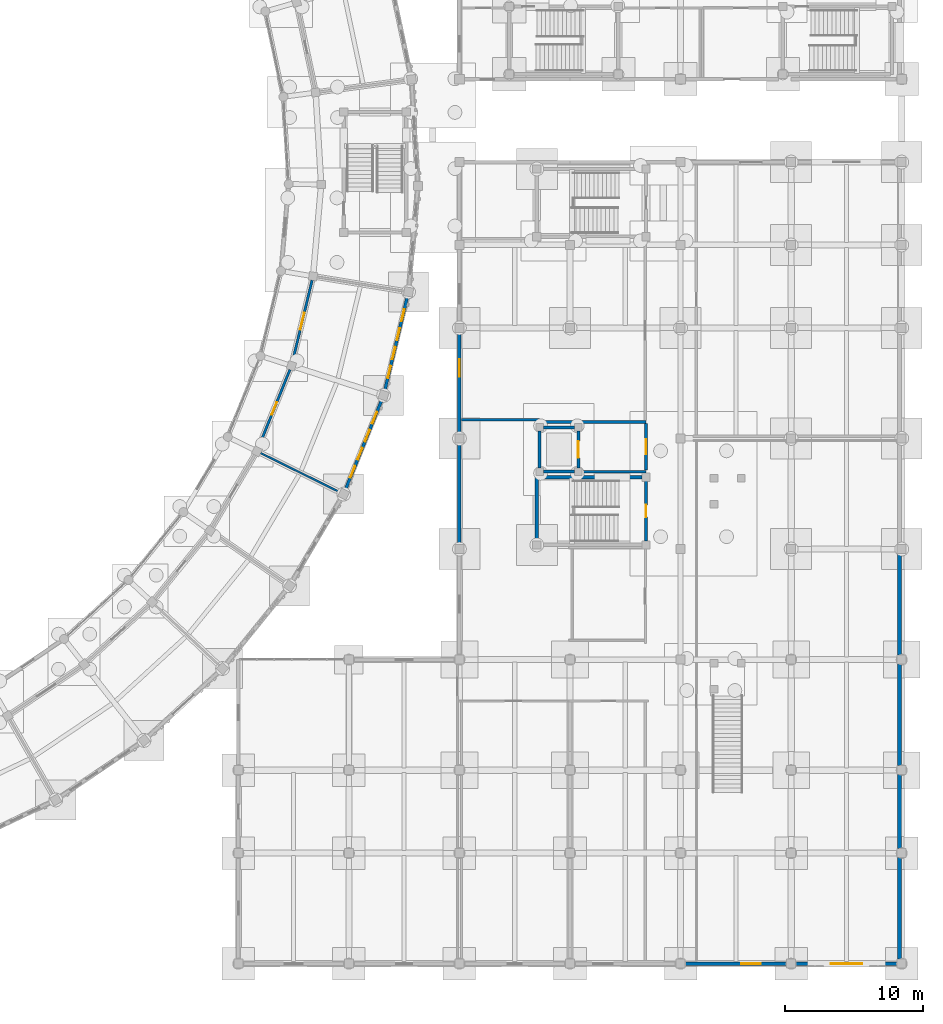
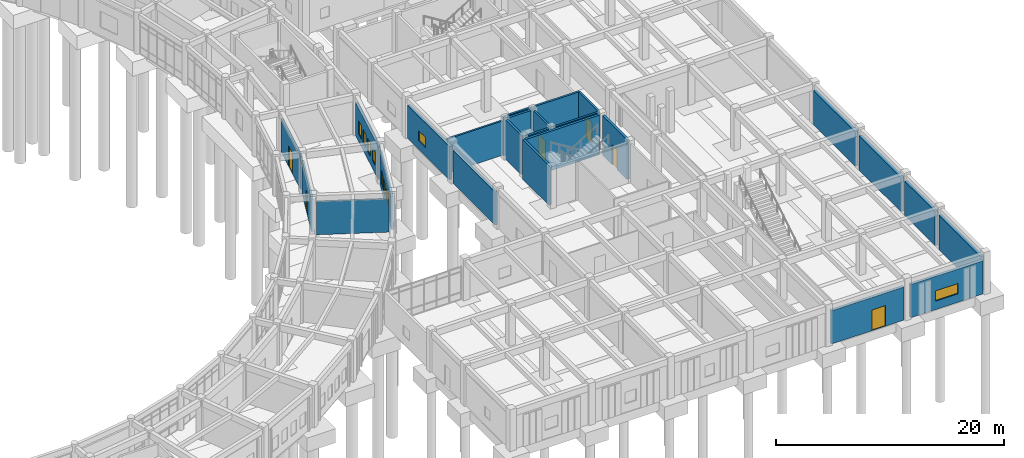
# One storey, part 133 of 153: 24 walls, 10 windows, 6 doors, 16 openings.
"""IFC4 building model written with IfcOpenShell, lengths in metres."""

from ifc_helpers import new_model, si_unit, direction, frame, frame_2d, origin, place, context, subcontext, project, spatial, rectangle, extrude, material, layer, layer_set, type_object, element, fill, save


model = new_model("IFC4")

# Units and contexts
model_context = context("Model", 3, precision=1e-05, world=origin(), true_north=direction((0.0, 1.0)))
body_context = subcontext(model_context, "Body", "Model", "MODEL_VIEW")
ifc_project = project(units=[si_unit("LENGTHUNIT", "METRE"), si_unit("AREAUNIT", "SQUARE_METRE"), si_unit("VOLUMEUNIT", "CUBIC_METRE"), si_unit("PLANEANGLEUNIT", "RADIAN"), si_unit("MASSUNIT", "GRAM", prefix="KILO")], contexts=[model_context])

# Site, building, storey
site_placement = place(None, origin())
site = spatial("IfcSite", under=ifc_project, at=site_placement, CompositionType="ELEMENT")
building_placement = place(site_placement, origin())
building = spatial("IfcBuilding", under=site, at=building_placement, Name="Celadon Cloister-Ring School", CompositionType="ELEMENT")
storey_placement = place(building_placement, origin())
storey = spatial("IfcBuildingStorey", under=building, at=storey_placement, Name="L00", CompositionType="ELEMENT", Elevation=0.0)

# Wall, opening, window
ifc_material_1 = material(Name="Rendered concrete blockwork", Category="masonry")
ifc_layer_1 = layer(ifc_material_1, 0.280029296875)
ifc_layer_set_1 = layer_set([ifc_layer_1], Name="Rendered concrete blockwork")
wall_type_1 = type_object("IfcWallType", Name="WT-EX1", PredefinedType="SOLIDWALL", material=ifc_layer_set_1)
wall_1_placement = place(storey_placement, frame((173.673095703125, 2.0, 0.0), z_axis=(0.0, 0.0, 1.0), x_axis=(-1.0, 0.0, 0.0)))
wall_1 = element("IfcWall", 1, at=wall_1_placement, inside=storey, type_object=wall_type_1, Name="Exterior Wall 0418", PredefinedType="SOLIDWALL", context=body_context, shape_type="SweptSolid", body=[
    extrude(rectangle(XDim=7.34619140625, YDim=0.280029296875, at=frame_2d((3.673095703125, 0.0))), origin(), (0.0, 0.0, 1.0), 3.550048828125),
])
opening_1_placement = place(wall_1_placement, frame((2.52294921875, 0.0, 0.89990234375)))
opening_1 = element("IfcOpeningElement", 2, at=opening_1_placement, cuts=wall_1, Name="Opening WN-10", PredefinedType="OPENING", context=body_context, shape_type="SweptSolid", body=[
    extrude(rectangle(XDim=2.300048828125, YDim=1.10009765625, at=frame_2d((1.14990234375, 0.550048828125))), frame((0.0, 0.14990234375, 0.0), z_axis=(0.0, -1.0, 0.0), x_axis=(1.0, 0.0, 0.0)), (0.0, 0.0, 1.0), 0.300048828125),
])
ifc_material_2 = material(Name="Tempered laminated insulating glass", Category="glass")
window_type_1 = type_object("IfcWindowType", Name="WN-10", PartitioningType="DOUBLE_PANEL_VERTICAL", PredefinedType="WINDOW", material=ifc_material_2)
window_1_placement = place(opening_1_placement, origin())
window_1 = element("IfcWindow", 3, at=window_1_placement, inside=storey, type_object=window_type_1, Name="Window 0960", OverallHeight=1.10009765625, OverallWidth=2.300048828125, PartitioningType="SINGLE_PANEL", PredefinedType="WINDOW", context=body_context, shape_type="SweptSolid", body=[
    extrude(rectangle(XDim=2.300048828125, YDim=1.10009765625, at=frame_2d((1.14990234375, 0.550048828125))), frame((0.0, 0.030029296875, 0.0), z_axis=(0.0, -1.0, 0.0), x_axis=(1.0, 0.0, 0.0)), (0.0, 0.0, 1.0), 0.06005859375),
])
fill(opening_1, window_1)

# Wall, opening, door
wall_2_placement = place(storey_placement, frame((165.673095703125, 2.0, 0.0), z_axis=(0.0, 0.0, 1.0), x_axis=(-1.0, 0.0, 0.0)))
wall_2 = element("IfcWall", 4, at=wall_2_placement, inside=storey, type_object=wall_type_1, Name="Exterior Wall 0419", PredefinedType="SOLIDWALL", context=body_context, shape_type="SweptSolid", body=[
    extrude(rectangle(XDim=7.34619140625, YDim=0.280029296875, at=frame_2d((3.673095703125, 0.0))), origin(), (0.0, 0.0, 1.0), 3.550048828125),
])
opening_2_placement = place(wall_2_placement, frame((1.87109375, 0.0, 0.0)))
opening_2 = element("IfcOpeningElement", 5, at=opening_2_placement, cuts=wall_2, Name="Opening D-0019", PredefinedType="OPENING", context=body_context, shape_type="SweptSolid", body=[
    extrude(rectangle(XDim=1.39990234375, YDim=2.199951171875, at=frame_2d((0.699951171875, 1.10009765625))), frame((0.0, 0.14990234375, 0.0), z_axis=(0.0, -1.0, 0.0), x_axis=(1.0, 0.0, 0.0)), (0.0, 0.0, 1.0), 0.300048828125),
])
ifc_material_3 = material(Name="Aluminium EN AW-6063 T6", Category="aluminium")
door_type_1 = type_object("IfcDoorType", Name="DE-07", OperationType="NOTDEFINED", PredefinedType="DOOR", material=ifc_material_3)
door_1_placement = place(opening_2_placement, origin())
door_1 = element("IfcDoor", 6, at=door_1_placement, inside=storey, type_object=door_type_1, Name="Exterior Door D-0019", OperationType="SINGLE_SWING_LEFT", OverallHeight=2.199951171875, OverallWidth=1.39990234375, PredefinedType="DOOR", context=body_context, shape_type="SweptSolid", body=[
    extrude(rectangle(XDim=1.39990234375, YDim=2.199951171875, at=frame_2d((0.699951171875, 1.10009765625))), frame((0.0, 0.02490234375, 0.0), z_axis=(0.0, -1.0, 0.0), x_axis=(1.0, 0.0, 0.0)), (0.0, 0.0, 1.0), 0.050048828125),
])
fill(opening_2, door_1)

# Wall
ifc_material_4 = material(Name="Rendered concrete blockwork", Category="masonry")
ifc_layer_2 = layer(ifc_material_4, 0.260009765625)
ifc_layer_set_2 = layer_set([ifc_layer_2], Name="Rendered concrete blockwork")
wall_type_2 = type_object("IfcWallType", Name="WT-EX2", PredefinedType="SOLIDWALL", material=ifc_layer_set_2)
wall_3_placement = place(storey_placement, frame((142.0, 32.326904296875, 0.0), z_axis=(0.0, 0.0, 1.0), x_axis=(0.0, 1.0, 0.0)))
element("IfcWall", 7, at=wall_3_placement, inside=storey, type_object=wall_type_2, Name="Exterior Wall 0402", PredefinedType="SOLIDWALL", context=body_context, shape_type="SweptSolid", body=[
    extrude(rectangle(XDim=7.34619140625, YDim=0.260009765625, at=frame_2d((3.673095703125, 0.0))), origin(), (0.0, 0.0, 1.0), 3.550048828125),
])

# Wall, opening, window
wall_4_placement = place(storey_placement, frame((142.0, 40.326904296875, 0.0), z_axis=(0.0, 0.0, 1.0), x_axis=(0.0, 1.0, 0.0)))
wall_4 = element("IfcWall", 8, at=wall_4_placement, inside=storey, type_object=wall_type_2, Name="Exterior Wall 0403", PredefinedType="SOLIDWALL", context=body_context, shape_type="SweptSolid", body=[
    extrude(rectangle(XDim=7.34619140625, YDim=0.260009765625, at=frame_2d((3.673095703125, 0.0))), origin(), (0.0, 0.0, 1.0), 3.550048828125),
])
opening_3_placement = place(wall_4_placement, frame((4.14990234375, 0.0, 0.89990234375)))
opening_3 = element("IfcOpeningElement", 9, at=opening_3_placement, cuts=wall_4, Name="Opening WN-04", PredefinedType="OPENING", context=body_context, shape_type="SweptSolid", body=[
    extrude(rectangle(XDim=1.25, YDim=1.10009765625, at=frame_2d((0.625, 0.550048828125))), frame((0.0, 0.14013671875, 0.0), z_axis=(0.0, -1.0, 0.0), x_axis=(1.0, 0.0, 0.0)), (0.0, 0.0, 1.0), 0.280029296875),
])
ifc_material_5 = material(Name="Tempered laminated insulating glass", Category="glass")
window_type_2 = type_object("IfcWindowType", Name="WN-04", PartitioningType="SINGLE_PANEL", PredefinedType="WINDOW", material=ifc_material_5)
window_2_placement = place(opening_3_placement, origin())
window_2 = element("IfcWindow", 10, at=window_2_placement, inside=storey, type_object=window_type_2, Name="Window 0956", OverallHeight=1.10009765625, OverallWidth=1.25, PartitioningType="SINGLE_PANEL", PredefinedType="WINDOW", context=body_context, shape_type="SweptSolid", body=[
    extrude(rectangle(XDim=1.25, YDim=1.10009765625, at=frame_2d((0.625, 0.550048828125))), frame((0.0, 0.030029296875, 0.0), z_axis=(0.0, -1.0, 0.0), x_axis=(1.0, 0.0, 0.0)), (0.0, 0.0, 1.0), 0.06005859375),
])
fill(opening_3, window_2)

# Wall, openings, windows
ifc_material_6 = material(Name="Perforated terracotta clay brick masonry", Category="masonry")
ifc_layer_3 = layer(ifc_material_6, 0.219970703125)
ifc_layer_set_3 = layer_set([ifc_layer_3], Name="Perforated terracotta clay brick masonry")
wall_type_3 = type_object("IfcWallType", Name="WT-EX4", PredefinedType="SOLIDWALL", material=ifc_layer_set_3)
wall_5_placement = place(storey_placement, frame((136.388916015625, 42.805908203125, 0.0), z_axis=(0.0, 0.0, 1.0), x_axis=(-0.375213359758, -0.926938474042, 0.0)))
wall_5 = element("IfcWall", 11, at=wall_5_placement, inside=storey, type_object=wall_type_3, Name="Exterior Wall 0037", PredefinedType="SOLIDWALL", context=body_context, shape_type="SweptSolid", body=[
    extrude(rectangle(XDim=7.030517578125, YDim=0.219970703125, at=frame_2d((3.51513671875, 0.0))), origin(), (0.0, 0.0, 1.0), 3.550048828125),
])
opening_4_placement = place(wall_5_placement, frame((0.9560546875, 0.0, 0.85009765625)))
opening_4 = element("IfcOpeningElement", 12, at=opening_4_placement, cuts=wall_5, Name="Opening WN-21", PredefinedType="OPENING", context=body_context, shape_type="SweptSolid", body=[
    extrude(rectangle(XDim=0.89990234375, YDim=1.39990234375, at=frame_2d((0.449951171875, 0.699951171875))), frame((0.0, 0.1201171875, 0.0), z_axis=(0.0, -1.0, 0.0), x_axis=(1.0, 0.0, 0.0)), (0.0, 0.0, 1.0), 0.239990234375),
])
opening_5_placement = place(wall_5_placement, frame((2.362060546875, 0.0, 0.85009765625)))
opening_5 = element("IfcOpeningElement", 13, at=opening_5_placement, cuts=wall_5, Name="Opening WN-21", PredefinedType="OPENING", context=body_context, shape_type="SweptSolid", body=[
    extrude(rectangle(XDim=0.89990234375, YDim=1.39990234375, at=frame_2d((0.449951171875, 0.699951171875))), frame((0.0, 0.1201171875, 0.0), z_axis=(0.0, -1.0, 0.0), x_axis=(1.0, 0.0, 0.0)), (0.0, 0.0, 1.0), 0.239990234375),
])
opening_6_placement = place(wall_5_placement, frame((3.76806640625, 0.0, 0.85009765625)))
opening_6 = element("IfcOpeningElement", 14, at=opening_6_placement, cuts=wall_5, Name="Opening WN-21", PredefinedType="OPENING", context=body_context, shape_type="SweptSolid", body=[
    extrude(rectangle(XDim=0.89990234375, YDim=1.39990234375, at=frame_2d((0.449951171875, 0.699951171875))), frame((0.0, 0.1201171875, 0.0), z_axis=(0.0, -1.0, 0.0), x_axis=(1.0, 0.0, 0.0)), (0.0, 0.0, 1.0), 0.239990234375),
])
opening_7_placement = place(wall_5_placement, frame((5.175048828125, 0.0, 0.85009765625)))
opening_7 = element("IfcOpeningElement", 15, at=opening_7_placement, cuts=wall_5, Name="Opening WN-21", PredefinedType="OPENING", context=body_context, shape_type="SweptSolid", body=[
    extrude(rectangle(XDim=0.89990234375, YDim=1.39990234375, at=frame_2d((0.449951171875, 0.699951171875))), frame((0.0, 0.1201171875, 0.0), z_axis=(0.0, -1.0, 0.0), x_axis=(1.0, 0.0, 0.0)), (0.0, 0.0, 1.0), 0.239990234375),
])
ifc_material_7 = material(Name="Tempered laminated insulating glass", Category="glass")
window_type_3 = type_object("IfcWindowType", Name="WN-21", PartitioningType="SINGLE_PANEL", PredefinedType="WINDOW", material=ifc_material_7)
window_3_placement = place(opening_4_placement, origin())
window_3 = element("IfcWindow", 16, at=window_3_placement, inside=storey, type_object=window_type_3, Name="Window 0092", OverallHeight=1.39990234375, OverallWidth=0.89990234375, PartitioningType="SINGLE_PANEL", PredefinedType="WINDOW", context=body_context, shape_type="SweptSolid", body=[
    extrude(rectangle(XDim=0.89990234375, YDim=1.39990234375, at=frame_2d((0.449951171875, 0.699951171875))), frame((0.0, 0.030029296875, 0.0), z_axis=(0.0, -1.0, 0.0), x_axis=(1.0, 0.0, 0.0)), (0.0, 0.0, 1.0), 0.06005859375),
])
fill(opening_4, window_3)
window_4_placement = place(opening_5_placement, origin())
window_4 = element("IfcWindow", 17, at=window_4_placement, inside=storey, type_object=window_type_3, Name="Window 0093", OverallHeight=1.39990234375, OverallWidth=0.89990234375, PartitioningType="SINGLE_PANEL", PredefinedType="WINDOW", context=body_context, shape_type="SweptSolid", body=[
    extrude(rectangle(XDim=0.89990234375, YDim=1.39990234375, at=frame_2d((0.449951171875, 0.699951171875))), frame((0.0, 0.030029296875, 0.0), z_axis=(0.0, -1.0, 0.0), x_axis=(1.0, 0.0, 0.0)), (0.0, 0.0, 1.0), 0.06005859375),
])
fill(opening_5, window_4)
window_5_placement = place(opening_6_placement, origin())
window_5 = element("IfcWindow", 18, at=window_5_placement, inside=storey, type_object=window_type_3, Name="Window 0094", OverallHeight=1.39990234375, OverallWidth=0.89990234375, PartitioningType="SINGLE_PANEL", PredefinedType="WINDOW", context=body_context, shape_type="SweptSolid", body=[
    extrude(rectangle(XDim=0.89990234375, YDim=1.39990234375, at=frame_2d((0.449951171875, 0.699951171875))), frame((0.0, 0.030029296875, 0.0), z_axis=(0.0, -1.0, 0.0), x_axis=(1.0, 0.0, 0.0)), (0.0, 0.0, 1.0), 0.06005859375),
])
fill(opening_6, window_5)
window_6_placement = place(opening_7_placement, origin())
window_6 = element("IfcWindow", 19, at=window_6_placement, inside=storey, type_object=window_type_3, Name="Window 0095", OverallHeight=1.39990234375, OverallWidth=0.89990234375, PartitioningType="SINGLE_PANEL", PredefinedType="WINDOW", context=body_context, shape_type="SweptSolid", body=[
    extrude(rectangle(XDim=0.89990234375, YDim=1.39990234375, at=frame_2d((0.449951171875, 0.699951171875))), frame((0.0, 0.030029296875, 0.0), z_axis=(0.0, -1.0, 0.0), x_axis=(1.0, 0.0, 0.0)), (0.0, 0.0, 1.0), 0.06005859375),
])
fill(opening_7, window_6)

wall_6_placement = place(storey_placement, frame((138.239013671875, 50.280029296875, 0.0), z_axis=(0.0, 0.0, 1.0), x_axis=(-0.233995482049, -0.972237684098, 0.0)))
wall_6 = element("IfcWall", 20, at=wall_6_placement, inside=storey, type_object=wall_type_3, Name="Exterior Wall 0038", PredefinedType="SOLIDWALL", context=body_context, shape_type="SweptSolid", body=[
    extrude(rectangle(XDim=7.030029296875, YDim=0.219970703125, at=frame_2d((3.51513671875, 0.0))), origin(), (0.0, 0.0, 1.0), 3.550048828125),
])
opening_8_placement = place(wall_6_placement, frame((0.9560546875, 0.0, 0.85009765625)))
opening_8 = element("IfcOpeningElement", 21, at=opening_8_placement, cuts=wall_6, Name="Opening WN-21", PredefinedType="OPENING", context=body_context, shape_type="SweptSolid", body=[
    extrude(rectangle(XDim=0.89990234375, YDim=1.39990234375, at=frame_2d((0.449951171875, 0.699951171875))), frame((0.0, 0.1201171875, 0.0), z_axis=(0.0, -1.0, 0.0), x_axis=(1.0, 0.0, 0.0)), (0.0, 0.0, 1.0), 0.239990234375),
])
opening_9_placement = place(wall_6_placement, frame((2.362060546875, 0.0, 0.85009765625)))
opening_9 = element("IfcOpeningElement", 22, at=opening_9_placement, cuts=wall_6, Name="Opening WN-21", PredefinedType="OPENING", context=body_context, shape_type="SweptSolid", body=[
    extrude(rectangle(XDim=0.89990234375, YDim=1.39990234375, at=frame_2d((0.449951171875, 0.699951171875))), frame((0.0, 0.1201171875, 0.0), z_axis=(0.0, -1.0, 0.0), x_axis=(1.0, 0.0, 0.0)), (0.0, 0.0, 1.0), 0.239990234375),
])
opening_10_placement = place(wall_6_placement, frame((3.76806640625, 0.0, 0.85009765625)))
opening_10 = element("IfcOpeningElement", 23, at=opening_10_placement, cuts=wall_6, Name="Opening WN-21", PredefinedType="OPENING", context=body_context, shape_type="SweptSolid", body=[
    extrude(rectangle(XDim=0.89990234375, YDim=1.39990234375, at=frame_2d((0.449951171875, 0.699951171875))), frame((0.0, 0.1201171875, 0.0), z_axis=(0.0, -1.0, 0.0), x_axis=(1.0, 0.0, 0.0)), (0.0, 0.0, 1.0), 0.239990234375),
])
opening_11_placement = place(wall_6_placement, frame((5.174072265625, 0.0, 0.85009765625)))
opening_11 = element("IfcOpeningElement", 24, at=opening_11_placement, cuts=wall_6, Name="Opening WN-21", PredefinedType="OPENING", context=body_context, shape_type="SweptSolid", body=[
    extrude(rectangle(XDim=0.89990234375, YDim=1.39990234375, at=frame_2d((0.449951171875, 0.699951171875))), frame((0.0, 0.1201171875, 0.0), z_axis=(0.0, -1.0, 0.0), x_axis=(1.0, 0.0, 0.0)), (0.0, 0.0, 1.0), 0.239990234375),
])
window_7_placement = place(opening_8_placement, origin())
window_7 = element("IfcWindow", 25, at=window_7_placement, inside=storey, type_object=window_type_3, Name="Window 0096", OverallHeight=1.39990234375, OverallWidth=0.89990234375, PartitioningType="SINGLE_PANEL", PredefinedType="WINDOW", context=body_context, shape_type="SweptSolid", body=[
    extrude(rectangle(XDim=0.89990234375, YDim=1.39990234375, at=frame_2d((0.449951171875, 0.699951171875))), frame((0.0, 0.030029296875, 0.0), z_axis=(0.0, -1.0, 0.0), x_axis=(1.0, 0.0, 0.0)), (0.0, 0.0, 1.0), 0.06005859375),
])
fill(opening_8, window_7)
window_8_placement = place(opening_9_placement, origin())
window_8 = element("IfcWindow", 26, at=window_8_placement, inside=storey, type_object=window_type_3, Name="Window 0097", OverallHeight=1.39990234375, OverallWidth=0.89990234375, PartitioningType="SINGLE_PANEL", PredefinedType="WINDOW", context=body_context, shape_type="SweptSolid", body=[
    extrude(rectangle(XDim=0.89990234375, YDim=1.39990234375, at=frame_2d((0.449951171875, 0.699951171875))), frame((0.0, 0.030029296875, 0.0), z_axis=(0.0, -1.0, 0.0), x_axis=(1.0, 0.0, 0.0)), (0.0, 0.0, 1.0), 0.06005859375),
])
fill(opening_9, window_8)
window_9_placement = place(opening_10_placement, origin())
window_9 = element("IfcWindow", 27, at=window_9_placement, inside=storey, type_object=window_type_3, Name="Window 0098", OverallHeight=1.39990234375, OverallWidth=0.89990234375, PartitioningType="SINGLE_PANEL", PredefinedType="WINDOW", context=body_context, shape_type="SweptSolid", body=[
    extrude(rectangle(XDim=0.89990234375, YDim=1.39990234375, at=frame_2d((0.449951171875, 0.699951171875))), frame((0.0, 0.030029296875, 0.0), z_axis=(0.0, -1.0, 0.0), x_axis=(1.0, 0.0, 0.0)), (0.0, 0.0, 1.0), 0.06005859375),
])
fill(opening_10, window_9)
window_10_placement = place(opening_11_placement, origin())
window_10 = element("IfcWindow", 28, at=window_10_placement, inside=storey, type_object=window_type_3, Name="Window 0099", OverallHeight=1.39990234375, OverallWidth=0.89990234375, PartitioningType="SINGLE_PANEL", PredefinedType="WINDOW", context=body_context, shape_type="SweptSolid", body=[
    extrude(rectangle(XDim=0.89990234375, YDim=1.39990234375, at=frame_2d((0.449951171875, 0.699951171875))), frame((0.0, 0.030029296875, 0.0), z_axis=(0.0, -1.0, 0.0), x_axis=(1.0, 0.0, 0.0)), (0.0, 0.0, 1.0), 0.06005859375),
])
fill(opening_11, window_10)

# Walls
ifc_material_8 = material(Name="Concrete C40/50", Category="concrete")
ifc_layer_4 = layer(ifc_material_8, 0.300048828125)
ifc_layer_set_4 = layer_set([ifc_layer_4], Name="Concrete C40/50")
wall_type_4 = type_object("IfcWallType", Name="WT-FW1", PredefinedType="SHEAR", material=ifc_layer_set_4)
for number, where, z_axis, x_axis, name in (
    (29, (173.85009765625, 31.673095703125, 0.0), (0.0, 0.0, 1.0), (0.0, -1.0, 0.0), "Exterior Wall 0414"),
    (30, (173.85009765625, 23.673095703125, 0.0), (0.0, 0.0, 1.0), (0.0, -1.0, 0.0), "Exterior Wall 0415"),
):
    element("IfcWall", number, at=place(storey_placement, frame(where, z_axis=z_axis, x_axis=x_axis)), inside=storey, type_object=wall_type_4, Name=name, PredefinedType="SHEAR", context=body_context, shape_type="SweptSolid", body=[
        extrude(rectangle(XDim=7.34619140625, YDim=0.300048828125, at=frame_2d((3.673095703125, 0.0))), origin(), (0.0, 0.0, 1.0), 3.672119140625),
    ])
wall_7_placement = place(storey_placement, frame((173.85009765625, 15.673095703125, 0.0), z_axis=(0.0, 0.0, 1.0), x_axis=(0.0, -1.0, 0.0)))
element("IfcWall", 31, at=wall_7_placement, inside=storey, type_object=wall_type_4, Name="Exterior Wall 0416", PredefinedType="SHEAR", context=body_context, shape_type="SweptSolid", body=[
    extrude(rectangle(XDim=5.34619140625, YDim=0.300048828125, at=frame_2d((2.673095703125, 0.0))), origin(), (0.0, 0.0, 1.0), 3.672119140625),
])
wall_8_placement = place(storey_placement, frame((173.85009765625, 9.673095703125, 0.0), z_axis=(0.0, 0.0, 1.0), x_axis=(0.0, -1.0, 0.0)))
element("IfcWall", 32, at=wall_8_placement, inside=storey, type_object=wall_type_4, Name="Exterior Wall 0417", PredefinedType="SHEAR", context=body_context, shape_type="SweptSolid", body=[
    extrude(rectangle(XDim=7.34619140625, YDim=0.300048828125, at=frame_2d((3.673095703125, 0.0))), origin(), (0.0, 0.0, 1.0), 3.672119140625),
])
ifc_material_9 = material(Name="Plastered hollow concrete masonry", Category="masonry")
ifc_layer_5 = layer(ifc_material_9, 0.199951171875)
ifc_layer_set_5 = layer_set([ifc_layer_5], Name="Plastered hollow concrete masonry")
wall_type_5 = type_object("IfcWallType", Name="WT-PT1", PredefinedType="PARTITIONING", material=ifc_layer_set_5)
wall_9_placement = place(storey_placement, frame((150.866943359375, 37.60009765625, 0.0), z_axis=(0.0, 0.0, 1.0), x_axis=(1.0, 0.0, 0.0)))
element("IfcWall", 33, at=wall_9_placement, inside=storey, type_object=wall_type_5, Name="Interior Wall 0403", PredefinedType="PARTITIONING", context=body_context, shape_type="SweptSolid", body=[
    extrude(rectangle(XDim=4.633056640625, YDim=0.199951171875, at=frame_2d((2.31640625, 0.0))), origin(), (0.0, 0.0, 1.0), 4.199951171875),
])
wall_10_placement = place(storey_placement, frame((147.800048828125, 41.199951171875, 0.0), z_axis=(0.0, 0.0, 1.0), x_axis=(1.0, 0.0, 0.0)))
element("IfcWall", 34, at=wall_10_placement, inside=storey, type_object=wall_type_5, Name="Interior Wall 0404", PredefinedType="PARTITIONING", context=body_context, shape_type="SweptSolid", body=[
    extrude(rectangle(XDim=7.699951171875, YDim=0.199951171875, at=frame_2d((3.85009765625, 0.0))), origin(), (0.0, 0.0, 1.0), 4.199951171875),
])

# Wall, opening, door
wall_11_placement = place(storey_placement, frame((155.5, 37.702880859375, 0.0), z_axis=(0.0, 0.0, 1.0), x_axis=(0.0, 1.0, 0.0)))
wall_11 = element("IfcWall", 35, at=wall_11_placement, inside=storey, type_object=wall_type_5, Name="Interior Wall 0405", PredefinedType="PARTITIONING", context=body_context, shape_type="SweptSolid", body=[
    extrude(rectangle(XDim=3.39404296875, YDim=0.199951171875, at=frame_2d((1.697021484375, 0.0))), origin(), (0.0, 0.0, 1.0), 4.199951171875),
])
opening_12_placement = place(wall_11_placement, frame((1.1669921875, 0.0, 0.0)))
opening_12 = element("IfcOpeningElement", 36, at=opening_12_placement, cuts=wall_11, Name="Opening D-0109", PredefinedType="OPENING", context=body_context, shape_type="SweptSolid", body=[
    extrude(rectangle(XDim=1.06005859375, YDim=2.199951171875, at=frame_2d((0.530029296875, 1.10009765625))), frame((0.0, 0.10986328125, 0.0), z_axis=(0.0, -1.0, 0.0), x_axis=(1.0, 0.0, 0.0)), (0.0, 0.0, 1.0), 0.219970703125),
])
ifc_material_10 = material(Name="Solid-core fire-rated hardwood leaf", Category="wood")
door_type_2 = type_object("IfcDoorType", Name="DT-08", OperationType="NOTDEFINED", PredefinedType="DOOR", material=ifc_material_10)
door_2_placement = place(opening_12_placement, origin())
door_2 = element("IfcDoor", 37, at=door_2_placement, inside=storey, type_object=door_type_2, Name="Door D-0109", OperationType="SINGLE_SWING_LEFT", OverallHeight=2.199951171875, OverallWidth=1.06005859375, PredefinedType="DOOR", context=body_context, shape_type="SweptSolid", body=[
    extrude(rectangle(XDim=1.06005859375, YDim=2.199951171875, at=frame_2d((0.530029296875, 1.10009765625))), frame((0.0, 0.02490234375, 0.0), z_axis=(0.0, -1.0, 0.0), x_axis=(1.0, 0.0, 0.0)), (0.0, 0.0, 1.0), 0.050048828125),
])
fill(opening_12, door_2)

ifc_material_11 = material(Name="Plastered hollow concrete masonry", Category="masonry")
ifc_layer_6 = layer(ifc_material_11, 0.179931640625)
ifc_layer_set_6 = layer_set([ifc_layer_6], Name="Plastered hollow concrete masonry")
wall_type_6 = type_object("IfcWallType", Name="WT-PT2", PredefinedType="PARTITIONING", material=ifc_layer_set_6)
wall_12_placement = place(storey_placement, frame((127.458984375, 39.346923828125, 0.0), z_axis=(0.0, 0.0, 1.0), x_axis=(0.375035083014, 0.927010618337, 0.0)))
wall_12 = element("IfcWall", 38, at=wall_12_placement, inside=storey, type_object=wall_type_6, Name="Interior Wall 0473", PredefinedType="PARTITIONING", context=body_context, shape_type="SweptSolid", body=[
    extrude(rectangle(XDim=6.08203125, YDim=0.179931640625, at=frame_2d((3.041015625, 0.0))), origin(), (0.0, 0.0, 1.0), 3.572021484375),
])
opening_13_placement = place(wall_12_placement, frame((2.551025390625, 0.0, 0.0)))
opening_13 = element("IfcOpeningElement", 39, at=opening_13_placement, cuts=wall_12, Name="Opening D-0134", PredefinedType="OPENING", context=body_context, shape_type="SweptSolid", body=[
    extrude(rectangle(XDim=0.97998046875, YDim=2.199951171875, at=frame_2d((0.489990234375, 1.10009765625))), frame((0.0, 0.10009765625, 0.0), z_axis=(0.0, -1.0, 0.0), x_axis=(1.0, 0.0, 0.0)), (0.0, 0.0, 1.0), 0.199951171875),
])
ifc_material_12 = material(Name="Solid-core fire-rated hardwood leaf", Category="wood")
door_type_3 = type_object("IfcDoorType", Name="DT-07", OperationType="NOTDEFINED", PredefinedType="DOOR", material=ifc_material_12)
door_3_placement = place(opening_13_placement, origin())
door_3 = element("IfcDoor", 40, at=door_3_placement, inside=storey, type_object=door_type_3, Name="Door D-0134", OperationType="SINGLE_SWING_RIGHT", OverallHeight=2.199951171875, OverallWidth=0.97998046875, PredefinedType="DOOR", context=body_context, shape_type="SweptSolid", body=[
    extrude(rectangle(XDim=0.97998046875, YDim=2.199951171875, at=frame_2d((0.489990234375, 1.10009765625))), frame((0.0, 0.02490234375, 0.0), z_axis=(0.0, -1.0, 0.0), x_axis=(1.0, 0.0, 0.0)), (0.0, 0.0, 1.0), 0.050048828125),
])
fill(opening_13, door_3)

wall_13_placement = place(storey_placement, frame((129.9189453125, 45.541015625, 0.0), z_axis=(0.0, 0.0, 1.0), x_axis=(0.23391817251, 0.972256287493, 0.0)))
wall_13 = element("IfcWall", 41, at=wall_13_placement, inside=storey, type_object=wall_type_6, Name="Interior Wall 0474", PredefinedType="PARTITIONING", context=body_context, shape_type="SweptSolid", body=[
    extrude(rectangle(XDim=6.07958984375, YDim=0.179931640625, at=frame_2d((3.039794921875, 0.0))), origin(), (0.0, 0.0, 1.0), 3.572021484375),
])
opening_14_placement = place(wall_13_placement, frame((2.4150390625, 0.0, 0.0)))
opening_14 = element("IfcOpeningElement", 42, at=opening_14_placement, cuts=wall_13, Name="Opening D-0135", PredefinedType="OPENING", context=body_context, shape_type="SweptSolid", body=[
    extrude(rectangle(XDim=1.25, YDim=2.199951171875, at=frame_2d((0.625, 1.10009765625))), frame((0.0, 0.10009765625, 0.0), z_axis=(0.0, -1.0, 0.0), x_axis=(1.0, 0.0, 0.0)), (0.0, 0.0, 1.0), 0.199951171875),
])
ifc_material_13 = material(Name="Galvanised fire-rated hollow steel leaf", Category="steel")
door_type_4 = type_object("IfcDoorType", Name="DT-10", OperationType="NOTDEFINED", PredefinedType="DOOR", material=ifc_material_13)
door_4_placement = place(opening_14_placement, origin())
door_4 = element("IfcDoor", 43, at=door_4_placement, inside=storey, type_object=door_type_4, Name="Door D-0135", OperationType="SINGLE_SWING_LEFT", OverallHeight=2.199951171875, OverallWidth=1.25, PredefinedType="DOOR", context=body_context, shape_type="SweptSolid", body=[
    extrude(rectangle(XDim=1.25, YDim=2.199951171875, at=frame_2d((0.625, 1.10009765625))), frame((0.0, 0.02490234375, 0.0), z_axis=(0.0, -1.0, 0.0), x_axis=(1.0, 0.0, 0.0)), (0.0, 0.0, 1.0), 0.050048828125),
])
fill(opening_14, door_4)

# Walls
wall_14_placement = place(storey_placement, frame((147.800048828125, 41.35009765625, 0.0), z_axis=(0.0, 0.0, 1.0), x_axis=(-1.0, 0.0, 0.0)))
element("IfcWall", 44, at=wall_14_placement, inside=storey, type_object=wall_type_6, Name="Interior Wall 0910", PredefinedType="PARTITIONING", context=body_context, shape_type="SweptSolid", body=[
    extrude(rectangle(XDim=5.6669921875, YDim=0.179931640625, at=frame_2d((2.83349609375, 0.0))), origin(), (0.0, 0.0, 1.0), 3.672119140625),
])
ifc_material_14 = material(Name="Acoustic mineral-wool drywall partition")
ifc_layer_7 = layer(ifc_material_14, 0.139892578125)
ifc_layer_set_7 = layer_set([ifc_layer_7], Name="Acoustic mineral-wool drywall partition")
wall_type_7 = type_object("IfcWallType", Name="WT-PT4", PredefinedType="PARTITIONING", material=ifc_layer_set_7)
wall_15_placement = place(storey_placement, frame((127.611083984375, 38.947021484375, 0.0), z_axis=(0.0, 0.0, 1.0), x_axis=(0.896601670098, -0.4428379446, 0.0)))
element("IfcWall", 45, at=wall_15_placement, inside=storey, type_object=wall_type_7, Name="Interior Wall 0442", PredefinedType="PARTITIONING", context=body_context, shape_type="SweptSolid", body=[
    extrude(rectangle(XDim=6.390869140625, YDim=0.139892578125, at=frame_2d((3.1953125, 0.0))), origin(), (0.0, 0.0, 1.0), 3.572021484375),
])
ifc_material_15 = material(Name="Concrete C40/50", Category="concrete")
ifc_layer_8 = layer(ifc_material_15, 0.239990234375)
ifc_layer_set_8 = layer_set([ifc_layer_8], Name="Concrete C40/50")
wall_type_8 = type_object("IfcWallType", Name="WT-SH1", PredefinedType="SHEAR", material=ifc_layer_set_8)
wall_16_placement = place(storey_placement, frame((147.60009765625, 32.592041015625, 0.0), z_axis=(0.0, 0.0, 1.0), x_axis=(0.0, 1.0, 0.0)))
element("IfcWall", 46, at=wall_16_placement, inside=storey, type_object=wall_type_8, Name="Interior Wall 0129", PredefinedType="SHEAR", context=body_context, shape_type="SweptSolid", body=[
    extrude(rectangle(XDim=4.60791015625, YDim=0.239990234375, at=frame_2d((2.303955078125, 0.0))), origin(), (0.0, 0.0, 1.0), 4.239990234375),
])

# Wall, opening, door
wall_17_placement = place(storey_placement, frame((155.5, 36.907958984375, 0.0), z_axis=(0.0, 0.0, 1.0), x_axis=(0.0, -1.0, 0.0)))
wall_17 = element("IfcWall", 47, at=wall_17_placement, inside=storey, type_object=wall_type_8, Name="Interior Wall 0130", PredefinedType="SHEAR", context=body_context, shape_type="SweptSolid", body=[
    extrude(rectangle(XDim=4.31591796875, YDim=0.239990234375, at=frame_2d((2.157958984375, 0.0))), origin(), (0.0, 0.0, 1.0), 4.239990234375),
])
opening_15_placement = place(wall_17_placement, frame((1.718017578125, 0.0, 0.0)))
opening_15 = element("IfcOpeningElement", 48, at=opening_15_placement, cuts=wall_17, Name="Opening D-0065", PredefinedType="OPENING", context=body_context, shape_type="SweptSolid", body=[
    extrude(rectangle(XDim=0.8798828125, YDim=2.10009765625, at=frame_2d((0.43994140625, 1.050048828125))), frame((0.0, 0.1298828125, 0.0), z_axis=(0.0, -1.0, 0.0), x_axis=(1.0, 0.0, 0.0)), (0.0, 0.0, 1.0), 0.260009765625),
])
ifc_material_16 = material(Name="Solid-core fire-rated hardwood leaf", Category="wood")
door_type_5 = type_object("IfcDoorType", Name="DT-01", OperationType="NOTDEFINED", PredefinedType="DOOR", material=ifc_material_16)
door_5_placement = place(opening_15_placement, origin())
door_5 = element("IfcDoor", 49, at=door_5_placement, inside=storey, type_object=door_type_5, Name="Door D-0065", OperationType="SINGLE_SWING_LEFT", OverallHeight=2.10009765625, OverallWidth=0.8798828125, PredefinedType="DOOR", context=body_context, shape_type="SweptSolid", body=[
    extrude(rectangle(XDim=0.8798828125, YDim=2.10009765625, at=frame_2d((0.43994140625, 1.050048828125))), frame((0.0, 0.02490234375, 0.0), z_axis=(0.0, -1.0, 0.0), x_axis=(1.0, 0.0, 0.0)), (0.0, 0.0, 1.0), 0.050048828125),
])
fill(opening_15, door_5)

# Walls
wall_18_placement = place(storey_placement, frame((155.2080078125, 37.199951171875, 0.0), z_axis=(0.0, 0.0, 1.0), x_axis=(-1.0, 0.0, 0.0)))
element("IfcWall", 50, at=wall_18_placement, inside=storey, type_object=wall_type_8, Name="Interior Wall 0132", PredefinedType="SHEAR", context=body_context, shape_type="SweptSolid", body=[
    extrude(rectangle(XDim=7.485107421875, YDim=0.239990234375, at=frame_2d((3.74267578125, 0.0))), origin(), (0.0, 0.0, 1.0), 4.239990234375),
])
ifc_material_17 = material(Name="Concrete C40/50", Category="concrete")
ifc_layer_9 = layer(ifc_material_17, 0.219970703125)
ifc_layer_set_9 = layer_set([ifc_layer_9], Name="Concrete C40/50")
wall_type_9 = type_object("IfcWallType", Name="WT-SH2", PredefinedType="SHEAR", material=ifc_layer_set_9)
wall_19_placement = place(storey_placement, frame((148.06689453125, 37.60009765625, 0.0), z_axis=(0.0, 0.0, 1.0), x_axis=(1.0, 0.0, 0.0)))
element("IfcWall", 51, at=wall_19_placement, inside=storey, type_object=wall_type_9, Name="Interior Wall 0399", PredefinedType="SHEAR", context=body_context, shape_type="SweptSolid", body=[
    extrude(rectangle(XDim=2.26611328125, YDim=0.219970703125, at=frame_2d((1.133056640625, 0.0))), origin(), (0.0, 0.0, 1.0), 4.239990234375),
])

# Wall, opening, door
wall_20_placement = place(storey_placement, frame((150.60009765625, 37.866943359375, 0.0), z_axis=(0.0, 0.0, 1.0), x_axis=(0.0, 1.0, 0.0)))
wall_20 = element("IfcWall", 52, at=wall_20_placement, inside=storey, type_object=wall_type_9, Name="Interior Wall 0400", PredefinedType="SHEAR", context=body_context, shape_type="SweptSolid", body=[
    extrude(rectangle(XDim=2.666015625, YDim=0.219970703125, at=frame_2d((1.3330078125, 0.0))), origin(), (0.0, 0.0, 1.0), 4.239990234375),
])
opening_16_placement = place(wall_20_placement, frame((0.73291015625, 0.0, 0.0)))
opening_16 = element("IfcOpeningElement", 53, at=opening_16_placement, cuts=wall_20, Name="Opening LD-025", PredefinedType="OPENING", context=body_context, shape_type="SweptSolid", body=[
    extrude(rectangle(XDim=1.199951171875, YDim=2.14990234375, at=frame_2d((0.60009765625, 1.074951171875))), frame((0.0, 0.1201171875, 0.0), z_axis=(0.0, -1.0, 0.0), x_axis=(1.0, 0.0, 0.0)), (0.0, 0.0, 1.0), 0.239990234375),
])
ifc_material_18 = material(Name="Galvanised fire-rated hollow steel leaf", Category="steel")
door_type_6 = type_object("IfcDoorType", Name="DT-LD2", OperationType="DOUBLE_DOOR_SLIDING", PredefinedType="DOOR", material=ifc_material_18)
door_6_placement = place(opening_16_placement, origin())
door_6 = element("IfcDoor", 54, at=door_6_placement, inside=storey, type_object=door_type_6, Name="Door LD-025", OperationType="DOUBLE_DOOR_SLIDING", OverallHeight=2.14990234375, OverallWidth=1.199951171875, PredefinedType="DOOR", context=body_context, shape_type="SweptSolid", body=[
    extrude(rectangle(XDim=1.199951171875, YDim=2.14990234375, at=frame_2d((0.60009765625, 1.074951171875))), frame((0.0, 0.02490234375, 0.0), z_axis=(0.0, -1.0, 0.0), x_axis=(1.0, 0.0, 0.0)), (0.0, 0.0, 1.0), 0.050048828125),
])
fill(opening_16, door_6)

# Walls
wall_21_placement = place(storey_placement, frame((150.3330078125, 40.800048828125, 0.0), z_axis=(0.0, 0.0, 1.0), x_axis=(-1.0, 0.0, 0.0)))
element("IfcWall", 55, at=wall_21_placement, inside=storey, type_object=wall_type_9, Name="Interior Wall 0401", PredefinedType="SHEAR", context=body_context, shape_type="SweptSolid", body=[
    extrude(rectangle(XDim=2.26611328125, YDim=0.219970703125, at=frame_2d((1.133056640625, 0.0))), origin(), (0.0, 0.0, 1.0), 4.239990234375),
])
wall_22_placement = place(storey_placement, frame((147.800048828125, 40.532958984375, 0.0), z_axis=(0.0, 0.0, 1.0), x_axis=(0.0, -1.0, 0.0)))
element("IfcWall", 56, at=wall_22_placement, inside=storey, type_object=wall_type_9, Name="Interior Wall 0402", PredefinedType="SHEAR", context=body_context, shape_type="SweptSolid", body=[
    extrude(rectangle(XDim=2.666015625, YDim=0.219970703125, at=frame_2d((1.3330078125, 0.0))), origin(), (0.0, 0.0, 1.0), 4.239990234375),
])

save(model, "model.ifc")
